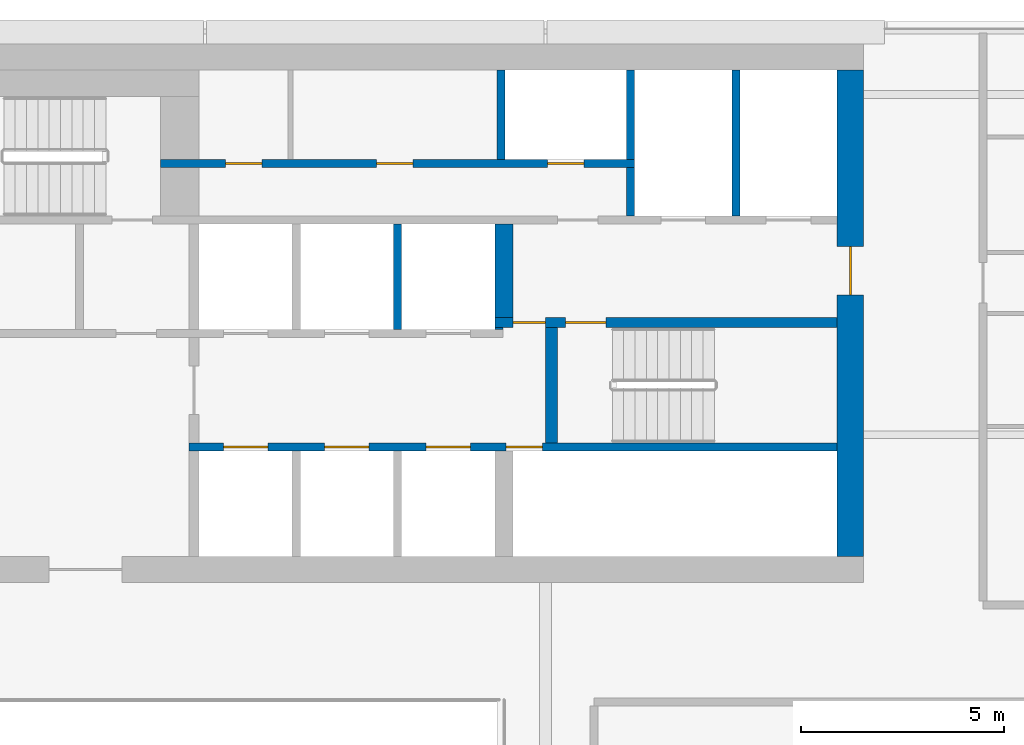
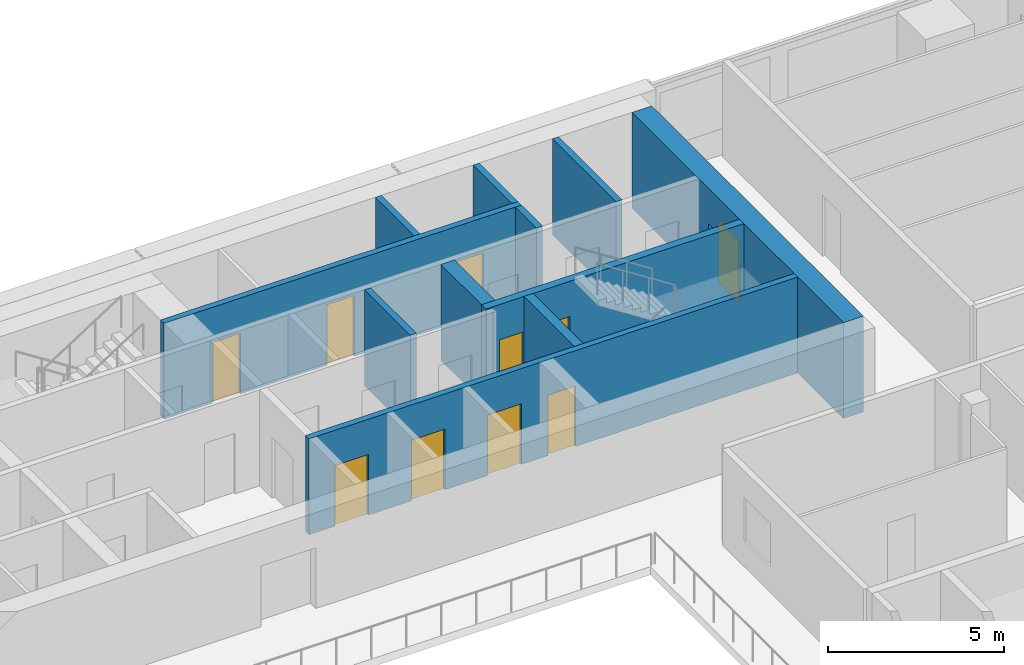
# One storey, part 23 of 29: 12 walls, 10 doors, 10 openings.
"""IFC4 building model written with IfcOpenShell, lengths in metres."""

from ifc_helpers import new_model, si_unit, direction, frame, frame_2d, origin, place, context, subcontext, project, spatial, rectangle, extrude, material, layer, layer_set, type_object, element, fill, save


model = new_model("IFC4")

# Units and contexts
model_context = context("Model", 3, precision=1e-05, world=origin(), true_north=direction((0.0, 1.0)))
body_context = subcontext(model_context, "Body", "Model", "MODEL_VIEW")
ifc_project = project(units=[si_unit("LENGTHUNIT", "METRE"), si_unit("AREAUNIT", "SQUARE_METRE"), si_unit("VOLUMEUNIT", "CUBIC_METRE"), si_unit("PLANEANGLEUNIT", "RADIAN"), si_unit("MASSUNIT", "GRAM", prefix="KILO")], contexts=[model_context])

# Site, building, storey
site_placement = place(None, origin())
site = spatial("IfcSite", under=ifc_project, at=site_placement, CompositionType="ELEMENT")
building_placement = place(site_placement, origin())
building = spatial("IfcBuilding", under=site, at=building_placement, Name="Saffron Gate Tower", CompositionType="ELEMENT")
storey_placement = place(building_placement, frame((0.0, 0.0, 219.89990234375)))
storey = spatial("IfcBuildingStorey", under=building, at=storey_placement, Name="L53", CompositionType="ELEMENT", Elevation=219.89990234375)

# Wall, openings, doors
ifc_material_1 = material(Name="Concrete C60", Category="concrete")
ifc_layer_1 = layer(ifc_material_1, 0.25)
ifc_layer_set_1 = layer_set([ifc_layer_1], Name="CW14 RC core wall 250 C60")
wall_type_1 = type_object("IfcWallType", Name="CW14 RC core wall 250 C60", PredefinedType="SOLIDWALL", material=ifc_layer_set_1)
wall_1_placement = place(storey_placement, frame((98.949951171875, 68.175048828125, 0.0), z_axis=(0.0, 0.0, 1.0), x_axis=(1.0, 0.0, 0.0)))
wall_1 = element("IfcWall", 1, at=wall_1_placement, inside=storey, type_object=wall_type_1, Name="Wall CW14-L53-27", PredefinedType="SOLIDWALL", context=body_context, shape_type="SweptSolid", body=[
    extrude(rectangle(XDim=8.449951171875, YDim=0.25, at=frame_2d((4.22509765625, 0.0))), origin(), (0.0, 0.0, 1.0), 3.320068359375),
])
opening_1_placement = place(wall_1_placement, frame((0.449951171875, 0.0, 0.0)))
opening_1 = element("IfcOpeningElement", 2, at=opening_1_placement, cuts=wall_1, Name="Opening CR-05", PredefinedType="OPENING", context=body_context, shape_type="SweptSolid", body=[
    extrude(rectangle(XDim=0.800048828125, YDim=2.10009765625, at=frame_2d((0.39990234375, 1.050048828125))), frame((0.0, 0.135009765625, 0.0), z_axis=(0.0, -1.0, 0.0), x_axis=(1.0, 0.0, 0.0)), (0.0, 0.0, 1.0), 0.27001953125),
])
opening_2_placement = place(wall_1_placement, frame((1.75, 0.0, 0.0)))
opening_2 = element("IfcOpeningElement", 3, at=opening_2_placement, cuts=wall_1, Name="Opening CR-16", PredefinedType="OPENING", context=body_context, shape_type="SweptSolid", body=[
    extrude(rectangle(XDim=1.0, YDim=2.10009765625, at=frame_2d((0.5, 1.050048828125))), frame((0.0, 0.135009765625, 0.0), z_axis=(0.0, -1.0, 0.0), x_axis=(1.0, 0.0, 0.0)), (0.0, 0.0, 1.0), 0.27001953125),
])
ifc_material_2 = material(Name="Steel fire door set", Category="steel")
door_type_1 = type_object("IfcDoorType", Name="CD5 Stair door 1000x2100 EI 120", OperationType="NOTDEFINED", PredefinedType="DOOR", material=ifc_material_2)
door_1_placement = place(opening_2_placement, origin())
door_1 = element("IfcDoor", 4, at=door_1_placement, inside=storey, type_object=door_type_1, Name="DOOR CR-16", OperationType="SINGLE_SWING_RIGHT", OverallHeight=2.10009765625, OverallWidth=1.0, PredefinedType="DOOR", context=body_context, shape_type="SweptSolid", body=[
    extrude(rectangle(XDim=1.0, YDim=2.10009765625, at=frame_2d((0.5, 1.050048828125))), frame((0.0, 0.02490234375, 0.0), z_axis=(0.0, -1.0, 0.0), x_axis=(1.0, 0.0, 0.0)), (0.0, 0.0, 1.0), 0.050048828125),
])
fill(opening_2, door_1)
door_type_2 = type_object("IfcDoorType", Name="CD6 Lobby door 800x2100 EI 120", OperationType="NOTDEFINED", PredefinedType="DOOR", material=ifc_material_2)
door_2_placement = place(opening_1_placement, origin())
door_2 = element("IfcDoor", 5, at=door_2_placement, inside=storey, type_object=door_type_2, Name="DOOR CR-05", OperationType="SINGLE_SWING_LEFT", OverallHeight=2.10009765625, OverallWidth=0.800048828125, PredefinedType="DOOR", context=body_context, shape_type="SweptSolid", body=[
    extrude(rectangle(XDim=0.800048828125, YDim=2.10009765625, at=frame_2d((0.39990234375, 1.050048828125))), frame((0.0, 0.02490234375, 0.0), z_axis=(0.0, -1.0, 0.0), x_axis=(1.0, 0.0, 0.0)), (0.0, 0.0, 1.0), 0.050048828125),
])
fill(opening_1, door_2)

ifc_layer_2 = layer(ifc_material_1, 0.199951171875)
ifc_layer_set_2 = layer_set([ifc_layer_2], Name="CW15 RC core wall 200 C60")
wall_type_2 = type_object("IfcWallType", Name="CW15 RC core wall 200 C60", PredefinedType="SOLIDWALL", material=ifc_layer_set_2)
wall_2_placement = place(storey_placement, frame((91.39990234375, 65.10009765625, 0.0), z_axis=(0.0, 0.0, 1.0), x_axis=(1.0, 0.0, 0.0)))
wall_2 = element("IfcWall", 6, at=wall_2_placement, inside=storey, type_object=wall_type_2, Name="Wall CW15-L53-14", PredefinedType="SOLIDWALL", context=body_context, shape_type="SweptSolid", body=[
    extrude(rectangle(XDim=16.0, YDim=0.199951171875, at=frame_2d((8.0, 0.0))), origin(), (0.0, 0.0, 1.0), 3.320068359375),
])
opening_3_placement = place(wall_2_placement, frame((0.85009765625, 0.0, 0.0)))
opening_3 = element("IfcOpeningElement", 7, at=opening_3_placement, cuts=wall_2, Name="Opening LD-HR1", PredefinedType="OPENING", context=body_context, shape_type="SweptSolid", body=[
    extrude(rectangle(XDim=1.10009765625, YDim=2.10009765625, at=frame_2d((0.550048828125, 1.050048828125))), frame((0.0, 0.10986328125, 0.0), z_axis=(0.0, -1.0, 0.0), x_axis=(1.0, 0.0, 0.0)), (0.0, 0.0, 1.0), 0.219970703125),
])
opening_4_placement = place(wall_2_placement, frame((3.35009765625, 0.0, 0.0)))
opening_4 = element("IfcOpeningElement", 8, at=opening_4_placement, cuts=wall_2, Name="Opening LD-HR2", PredefinedType="OPENING", context=body_context, shape_type="SweptSolid", body=[
    extrude(rectangle(XDim=1.10009765625, YDim=2.10009765625, at=frame_2d((0.550048828125, 1.050048828125))), frame((0.0, 0.10986328125, 0.0), z_axis=(0.0, -1.0, 0.0), x_axis=(1.0, 0.0, 0.0)), (0.0, 0.0, 1.0), 0.219970703125),
])
opening_5_placement = place(wall_2_placement, frame((5.85009765625, 0.0, 0.0)))
opening_5 = element("IfcOpeningElement", 9, at=opening_5_placement, cuts=wall_2, Name="Opening LD-HR3", PredefinedType="OPENING", context=body_context, shape_type="SweptSolid", body=[
    extrude(rectangle(XDim=1.10009765625, YDim=2.10009765625, at=frame_2d((0.550048828125, 1.050048828125))), frame((0.0, 0.10986328125, 0.0), z_axis=(0.0, -1.0, 0.0), x_axis=(1.0, 0.0, 0.0)), (0.0, 0.0, 1.0), 0.219970703125),
])
opening_6_placement = place(wall_2_placement, frame((7.830078125, 0.0, 0.0)))
opening_6 = element("IfcOpeningElement", 10, at=opening_6_placement, cuts=wall_2, Name="Opening CR-48", PredefinedType="OPENING", context=body_context, shape_type="SweptSolid", body=[
    extrude(rectangle(XDim=0.89990234375, YDim=2.10009765625, at=frame_2d((0.449951171875, 1.050048828125))), frame((0.0, 0.10986328125, 0.0), z_axis=(0.0, -1.0, 0.0), x_axis=(1.0, 0.0, 0.0)), (0.0, 0.0, 1.0), 0.219970703125),
])
door_type_3 = type_object("IfcDoorType", Name="CD2 Riser door 900x2100 EI 60", OperationType="NOTDEFINED", PredefinedType="DOOR", material=ifc_material_2)
door_3_placement = place(opening_6_placement, origin())
door_3 = element("IfcDoor", 11, at=door_3_placement, inside=storey, type_object=door_type_3, Name="DOOR CR-48", OperationType="SINGLE_SWING_RIGHT", OverallHeight=2.10009765625, OverallWidth=0.89990234375, PredefinedType="DOOR", context=body_context, shape_type="SweptSolid", body=[
    extrude(rectangle(XDim=0.89990234375, YDim=2.10009765625, at=frame_2d((0.449951171875, 1.050048828125))), frame((0.0, 0.02490234375, 0.0), z_axis=(0.0, -1.0, 0.0), x_axis=(1.0, 0.0, 0.0)), (0.0, 0.0, 1.0), 0.050048828125),
])
fill(opening_6, door_3)
ifc_material_3 = material(Name="Stainless steel landing door", Category="steel")
door_type_4 = type_object("IfcDoorType", Name="LD Lift landing door 1100x2100 EI 120", OperationType="SLIDING_TO_LEFT", PredefinedType="DOOR", material=ifc_material_3)
door_4_placement = place(opening_3_placement, origin())
door_4 = element("IfcDoor", 12, at=door_4_placement, inside=storey, type_object=door_type_4, Name="LANDING DOOR LD-HR1", OperationType="SLIDING_TO_LEFT", OverallHeight=2.10009765625, OverallWidth=1.10009765625, PredefinedType="DOOR", context=body_context, shape_type="SweptSolid", body=[
    extrude(rectangle(XDim=1.10009765625, YDim=2.10009765625, at=frame_2d((0.550048828125, 1.050048828125))), frame((0.0, 0.02490234375, 0.0), z_axis=(0.0, -1.0, 0.0), x_axis=(1.0, 0.0, 0.0)), (0.0, 0.0, 1.0), 0.050048828125),
])
fill(opening_3, door_4)
door_5_placement = place(opening_4_placement, origin())
door_5 = element("IfcDoor", 13, at=door_5_placement, inside=storey, type_object=door_type_4, Name="LANDING DOOR LD-HR2", OperationType="SLIDING_TO_LEFT", OverallHeight=2.10009765625, OverallWidth=1.10009765625, PredefinedType="DOOR", context=body_context, shape_type="SweptSolid", body=[
    extrude(rectangle(XDim=1.10009765625, YDim=2.10009765625, at=frame_2d((0.550048828125, 1.050048828125))), frame((0.0, 0.02490234375, 0.0), z_axis=(0.0, -1.0, 0.0), x_axis=(1.0, 0.0, 0.0)), (0.0, 0.0, 1.0), 0.050048828125),
])
fill(opening_4, door_5)
door_6_placement = place(opening_5_placement, origin())
door_6 = element("IfcDoor", 14, at=door_6_placement, inside=storey, type_object=door_type_4, Name="LANDING DOOR LD-HR3", OperationType="SLIDING_TO_LEFT", OverallHeight=2.10009765625, OverallWidth=1.10009765625, PredefinedType="DOOR", context=body_context, shape_type="SweptSolid", body=[
    extrude(rectangle(XDim=1.10009765625, YDim=2.10009765625, at=frame_2d((0.550048828125, 1.050048828125))), frame((0.0, 0.02490234375, 0.0), z_axis=(0.0, -1.0, 0.0), x_axis=(1.0, 0.0, 0.0)), (0.0, 0.0, 1.0), 0.050048828125),
])
fill(opening_5, door_6)

# Walls
wall_3_placement = place(storey_placement, frame((96.550048828125, 68.0, 0.0), z_axis=(0.0, 0.0, 1.0), x_axis=(0.0, 1.0, 0.0)))
element("IfcWall", 15, at=wall_3_placement, inside=storey, type_object=wall_type_2, Name="Wall CW15-L53-24", PredefinedType="SOLIDWALL", context=body_context, shape_type="SweptSolid", body=[
    extrude(rectangle(XDim=2.60009765625, YDim=0.199951171875, at=frame_2d((1.300048828125, 0.0))), origin(), (0.0, 0.0, 1.0), 3.320068359375),
])
wall_4_placement = place(storey_placement, frame((102.300048828125, 70.800048828125, 0.0), z_axis=(0.0, 0.0, 1.0), x_axis=(0.0, 1.0, 0.0)))
element("IfcWall", 16, at=wall_4_placement, inside=storey, type_object=wall_type_2, Name="Wall CW15-L53-35", PredefinedType="SOLIDWALL", context=body_context, shape_type="SweptSolid", body=[
    extrude(rectangle(XDim=1.199951171875, YDim=0.199951171875, at=frame_2d((0.60009765625, 0.0))), origin(), (0.0, 0.0, 1.0), 3.320068359375),
])
wall_5_placement = place(storey_placement, frame((104.89990234375, 70.800048828125, 0.0), z_axis=(0.0, 0.0, 1.0), x_axis=(0.0, 1.0, 0.0)))
element("IfcWall", 17, at=wall_5_placement, inside=storey, type_object=wall_type_2, Name="Wall CW15-L53-36", PredefinedType="SOLIDWALL", context=body_context, shape_type="SweptSolid", body=[
    extrude(rectangle(XDim=3.599853515625, YDim=0.199951171875, at=frame_2d((1.7998046875, 0.0))), origin(), (0.0, 0.0, 1.0), 3.320068359375),
])

# Wall, openings, doors
wall_6_placement = place(storey_placement, frame((90.699951171875, 72.10009765625, 0.0), z_axis=(0.0, 0.0, 1.0), x_axis=(1.0, 0.0, 0.0)))
wall_6 = element("IfcWall", 18, at=wall_6_placement, inside=storey, type_object=wall_type_2, Name="Wall CW15-L53-38", PredefinedType="SOLIDWALL", context=body_context, shape_type="SweptSolid", body=[
    extrude(rectangle(XDim=11.699951171875, YDim=0.199951171875, at=frame_2d((5.85009765625, 0.0))), origin(), (0.0, 0.0, 1.0), 3.320068359375),
])
opening_7_placement = place(wall_6_placement, frame((1.60009765625, 0.0, 0.0)))
opening_7 = element("IfcOpeningElement", 19, at=opening_7_placement, cuts=wall_6, Name="Opening CR-50", PredefinedType="OPENING", context=body_context, shape_type="SweptSolid", body=[
    extrude(rectangle(XDim=0.89990234375, YDim=2.10009765625, at=frame_2d((0.449951171875, 1.050048828125))), frame((0.0, 0.10986328125, 0.0), z_axis=(0.0, -1.0, 0.0), x_axis=(1.0, 0.0, 0.0)), (0.0, 0.0, 1.0), 0.219970703125),
])
opening_8_placement = place(wall_6_placement, frame((5.3349609375, 0.0, 0.0)))
opening_8 = element("IfcOpeningElement", 20, at=opening_8_placement, cuts=wall_6, Name="Opening CR-53", PredefinedType="OPENING", context=body_context, shape_type="SweptSolid", body=[
    extrude(rectangle(XDim=0.89990234375, YDim=2.10009765625, at=frame_2d((0.449951171875, 1.050048828125))), frame((0.0, 0.10986328125, 0.0), z_axis=(0.0, -1.0, 0.0), x_axis=(1.0, 0.0, 0.0)), (0.0, 0.0, 1.0), 0.219970703125),
])
opening_9_placement = place(wall_6_placement, frame((9.550048828125, 0.0, 0.0)))
opening_9 = element("IfcOpeningElement", 21, at=opening_9_placement, cuts=wall_6, Name="Opening CR-70", PredefinedType="OPENING", context=body_context, shape_type="SweptSolid", body=[
    extrude(rectangle(XDim=0.89990234375, YDim=2.10009765625, at=frame_2d((0.449951171875, 1.050048828125))), frame((0.0, 0.10986328125, 0.0), z_axis=(0.0, -1.0, 0.0), x_axis=(1.0, 0.0, 0.0)), (0.0, 0.0, 1.0), 0.219970703125),
])
door_7_placement = place(opening_9_placement, origin())
door_7 = element("IfcDoor", 22, at=door_7_placement, inside=storey, type_object=door_type_3, Name="DOOR CR-70", OperationType="SINGLE_SWING_LEFT", OverallHeight=2.10009765625, OverallWidth=0.89990234375, PredefinedType="DOOR", context=body_context, shape_type="SweptSolid", body=[
    extrude(rectangle(XDim=0.89990234375, YDim=2.10009765625, at=frame_2d((0.449951171875, 1.050048828125))), frame((0.0, 0.02490234375, 0.0), z_axis=(0.0, -1.0, 0.0), x_axis=(1.0, 0.0, 0.0)), (0.0, 0.0, 1.0), 0.050048828125),
])
fill(opening_9, door_7)
door_type_5 = type_object("IfcDoorType", Name="CD9 Room door 900x2100 EI 60", OperationType="NOTDEFINED", PredefinedType="DOOR", material=ifc_material_2)
door_8_placement = place(opening_7_placement, origin())
door_8 = element("IfcDoor", 23, at=door_8_placement, inside=storey, type_object=door_type_5, Name="DOOR CR-50", OperationType="SINGLE_SWING_LEFT", OverallHeight=2.10009765625, OverallWidth=0.89990234375, PredefinedType="DOOR", context=body_context, shape_type="SweptSolid", body=[
    extrude(rectangle(XDim=0.89990234375, YDim=2.10009765625, at=frame_2d((0.449951171875, 1.050048828125))), frame((0.0, 0.02490234375, 0.0), z_axis=(0.0, -1.0, 0.0), x_axis=(1.0, 0.0, 0.0)), (0.0, 0.0, 1.0), 0.050048828125),
])
fill(opening_7, door_8)
door_9_placement = place(opening_8_placement, origin())
door_9 = element("IfcDoor", 24, at=door_9_placement, inside=storey, type_object=door_type_5, Name="DOOR CR-53", OperationType="SINGLE_SWING_LEFT", OverallHeight=2.10009765625, OverallWidth=0.89990234375, PredefinedType="DOOR", context=body_context, shape_type="SweptSolid", body=[
    extrude(rectangle(XDim=0.89990234375, YDim=2.10009765625, at=frame_2d((0.449951171875, 1.050048828125))), frame((0.0, 0.02490234375, 0.0), z_axis=(0.0, -1.0, 0.0), x_axis=(1.0, 0.0, 0.0)), (0.0, 0.0, 1.0), 0.050048828125),
])
fill(opening_8, door_9)

# Walls
for number, where, z_axis, x_axis, name in (
    (25, (99.10009765625, 72.199951171875, 0.0), (0.0, 0.0, 1.0), (0.0, 1.0, 0.0), "Wall CW15-L53-46"),
    (26, (102.300048828125, 72.199951171875, 0.0), (0.0, 0.0, 1.0), (0.0, 1.0, 0.0), "Wall CW15-L53-47"),
):
    element("IfcWall", number, at=place(storey_placement, frame(where, z_axis=z_axis, x_axis=x_axis)), inside=storey, type_object=wall_type_2, Name=name, PredefinedType="SOLIDWALL", context=body_context, shape_type="SweptSolid", body=[
        extrude(rectangle(XDim=2.199951171875, YDim=0.199951171875, at=frame_2d((1.10009765625, 0.0))), origin(), (0.0, 0.0, 1.0), 3.320068359375),
    ])
ifc_layer_3 = layer(ifc_material_1, 0.449951171875)
ifc_layer_set_3 = layer_set([ifc_layer_3], Name="CW16 RC core wall 450 C60")
wall_type_3 = type_object("IfcWallType", Name="CW16 RC core wall 450 C60", PredefinedType="SOLIDWALL", material=ifc_layer_set_3)
wall_7_placement = place(storey_placement, frame((99.175048828125, 68.300048828125, 0.0), z_axis=(0.0, 0.0, 1.0), x_axis=(0.0, 1.0, 0.0)))
element("IfcWall", 27, at=wall_7_placement, inside=storey, type_object=wall_type_3, Name="Wall CW16-L53-29", PredefinedType="SOLIDWALL", context=body_context, shape_type="SweptSolid", body=[
    extrude(rectangle(XDim=2.300048828125, YDim=0.449951171875, at=frame_2d((1.14990234375, 0.0))), origin(), (0.0, 0.0, 1.0), 3.320068359375),
])
ifc_layer_4 = layer(ifc_material_1, 0.300048828125)
ifc_layer_set_4 = layer_set([ifc_layer_4], Name="CW17 RC core wall 300 C60")
wall_type_4 = type_object("IfcWallType", Name="CW17 RC core wall 300 C60", PredefinedType="SOLIDWALL", material=ifc_layer_set_4)
wall_8_placement = place(storey_placement, frame((100.35009765625, 65.199951171875, 0.0), z_axis=(0.0, 0.0, 1.0), x_axis=(0.0, 1.0, 0.0)))
element("IfcWall", 28, at=wall_8_placement, inside=storey, type_object=wall_type_4, Name="Wall CW17-L53-18", PredefinedType="SOLIDWALL", context=body_context, shape_type="SweptSolid", body=[
    extrude(rectangle(XDim=2.85009765625, YDim=0.300048828125, at=frame_2d((1.425048828125, 0.0))), origin(), (0.0, 0.0, 1.0), 3.320068359375),
])
ifc_layer_5 = layer(ifc_material_1, 0.050048828125)
ifc_layer_set_5 = layer_set([ifc_layer_5], Name="CW18 RC core wall 50 C60")
wall_type_5 = type_object("IfcWallType", Name="CW18 RC core wall 50 C60", PredefinedType="SOLIDWALL", material=ifc_layer_set_5)
wall_9_placement = place(storey_placement, frame((98.949951171875, 68.02490234375, 0.0), z_axis=(0.0, 0.0, 1.0), x_axis=(1.0, 0.0, 0.0)))
element("IfcWall", 29, at=wall_9_placement, inside=storey, type_object=wall_type_5, Name="Wall CW18-L53-25", PredefinedType="SOLIDWALL", context=body_context, shape_type="SweptSolid", body=[
    extrude(rectangle(XDim=0.199951171875, YDim=0.050048828125, at=frame_2d((0.10009765625, 0.0))), origin(), (0.0, 0.0, 1.0), 3.320068359375),
])

# Wall, opening, door
ifc_layer_6 = layer(ifc_material_1, 0.64990234375)
ifc_layer_set_6 = layer_set([ifc_layer_6], Name="CW20 RC core wall 650 C60")
wall_type_6 = type_object("IfcWallType", Name="CW20 RC core wall 650 C60", PredefinedType="SOLIDWALL", material=ifc_layer_set_6)
wall_10_placement = place(storey_placement, frame((107.72509765625, 62.39990234375, 0.0), z_axis=(0.0, 0.0, 1.0), x_axis=(0.0, 1.0, 0.0)))
wall_10 = element("IfcWall", 30, at=wall_10_placement, inside=storey, type_object=wall_type_6, Name="Wall CW20-L53-4", PredefinedType="SOLIDWALL", context=body_context, shape_type="SweptSolid", body=[
    extrude(rectangle(XDim=12.0, YDim=0.64990234375, at=frame_2d((6.0, 0.0))), origin(), (0.0, 0.0, 1.0), 3.320068359375),
])
opening_10_placement = place(wall_10_placement, frame((6.449951171875, 0.0, 0.0)))
opening_10 = element("IfcOpeningElement", 31, at=opening_10_placement, cuts=wall_10, Name="Opening CR-08", PredefinedType="OPENING", context=body_context, shape_type="SweptSolid", body=[
    extrude(rectangle(XDim=1.199951171875, YDim=2.10009765625, at=frame_2d((0.60009765625, 1.050048828125))), frame((0.0, 0.3349609375, 0.0), z_axis=(0.0, -1.0, 0.0), x_axis=(1.0, 0.0, 0.0)), (0.0, 0.0, 1.0), 0.669921875),
])
door_type_6 = type_object("IfcDoorType", Name="CD7 Core entrance door 1200x2100 EI 120", OperationType="NOTDEFINED", PredefinedType="DOOR", material=ifc_material_2)
door_10_placement = place(opening_10_placement, origin())
door_10 = element("IfcDoor", 32, at=door_10_placement, inside=storey, type_object=door_type_6, Name="DOOR CR-08", OperationType="SINGLE_SWING_RIGHT", OverallHeight=2.10009765625, OverallWidth=1.199951171875, PredefinedType="DOOR", context=body_context, shape_type="SweptSolid", body=[
    extrude(rectangle(XDim=1.199951171875, YDim=2.10009765625, at=frame_2d((0.60009765625, 1.050048828125))), frame((0.0, 0.02490234375, 0.0), z_axis=(0.0, -1.0, 0.0), x_axis=(1.0, 0.0, 0.0)), (0.0, 0.0, 1.0), 0.050048828125),
])
fill(opening_10, door_10)

save(model, "model.ifc")
